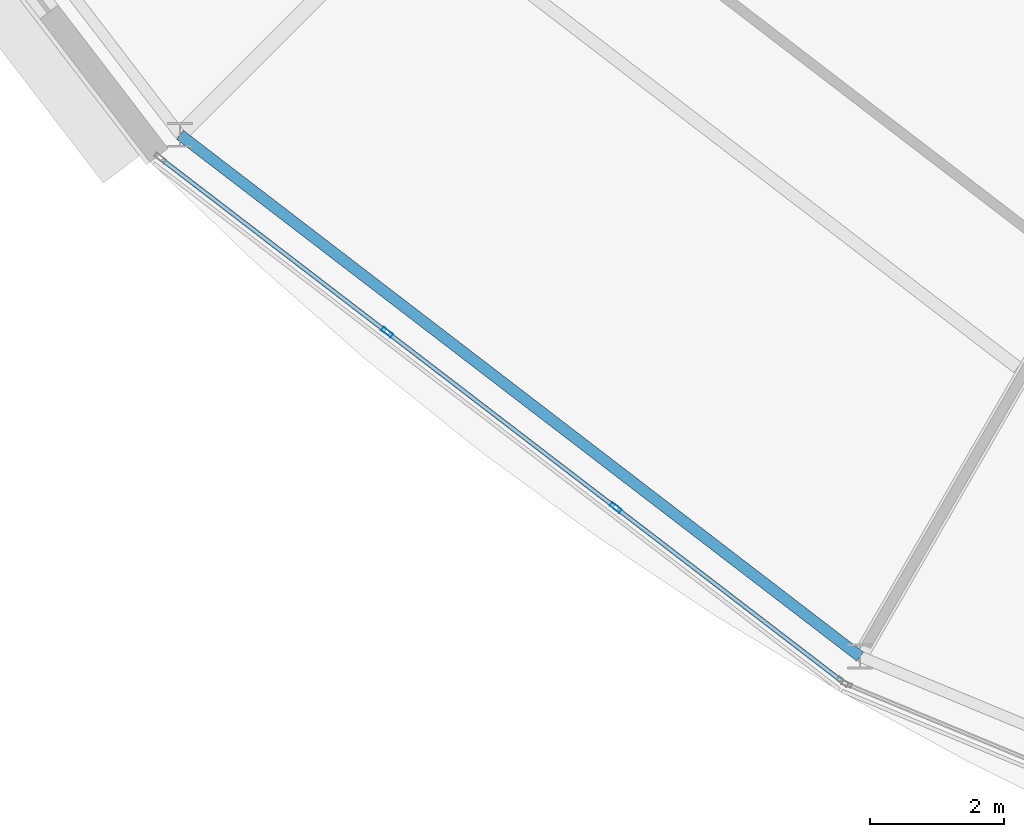
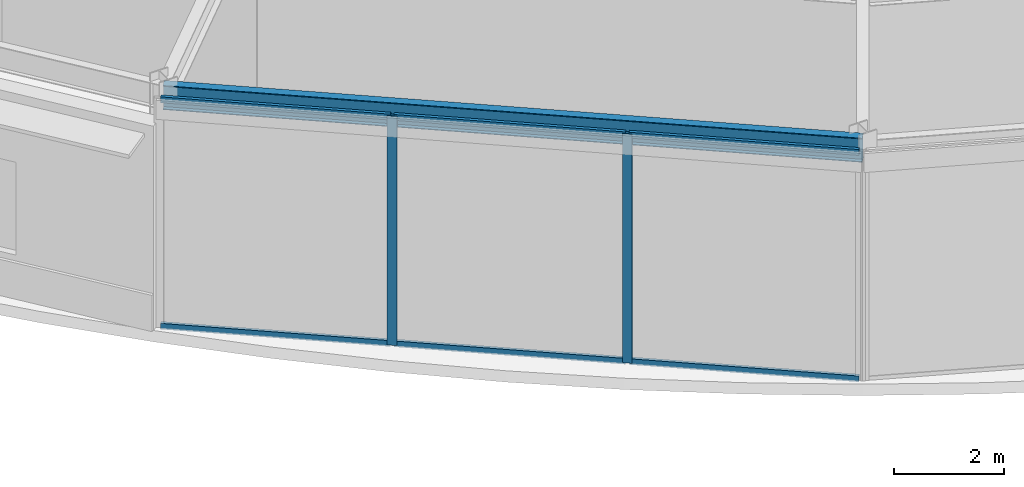
# One storey, part 28 of 168: 8 members, 1 beam, 1 element without a shape of its own.
"""IFC4 building model written with IfcOpenShell, lengths in metres."""

from ifc_helpers import new_model, si_unit, direction, frame, origin, origin_2d, place, context, subcontext, project, spatial, hollow_rectangle, i_section, extrude, material, material_profile, profile_set, type_object, element, aggregate, save


model = new_model("IFC4")

# Units and contexts
model_context = context("Model", 3, precision=1e-05, world=origin(), true_north=direction((0.0, 1.0)))
body_context = subcontext(model_context, "Body", "Model", "MODEL_VIEW")
ifc_project = project(units=[si_unit("LENGTHUNIT", "METRE"), si_unit("AREAUNIT", "SQUARE_METRE"), si_unit("VOLUMEUNIT", "CUBIC_METRE"), si_unit("PLANEANGLEUNIT", "RADIAN"), si_unit("MASSUNIT", "GRAM", prefix="KILO")], contexts=[model_context])

# Site, building, storey
site_placement = place(None, origin())
site = spatial("IfcSite", under=ifc_project, at=site_placement, CompositionType="ELEMENT")
building_placement = place(site_placement, origin())
building = spatial("IfcBuilding", under=site, at=building_placement, Name="Almandine Court Research Institute", CompositionType="ELEMENT")
storey_placement = place(building_placement, origin())
storey = spatial("IfcBuildingStorey", under=building, at=storey_placement, Name="L00", CompositionType="ELEMENT", Elevation=0.0)

# Beam
ifc_material_1 = material(Name="Steel ASTM A992 Grade 50", Category="steel")
ifc_material_profile_1 = material_profile(ifc_material_1, i_section(OverallWidth=0.166015625, OverallDepth=0.534912109375, WebThickness=0.010009765625, FlangeThickness=0.01708984375, at=origin_2d()), Name="W530x85")
ifc_profile_set_1 = profile_set([ifc_material_profile_1], Name="Steel ASTM A992 Grade 50")
beam_type = type_object("IfcBeamType", Name="Beam-G-05-E", PredefinedType="SPANDREL", material=ifc_profile_set_1)
beam_placement = place(storey_placement, frame((52.422119140625, 21.422119140625, 4.802978515625), z_axis=(0.793360662587, -0.608751886289, 0.0), x_axis=(0.608751886289, 0.793360662587, 0.0)))
element("IfcBeam", 1, at=beam_placement, inside=storey, type_object=beam_type, Name="L00 Drum OUT Ring Beam 15", PredefinedType="SPANDREL", context=body_context, shape_type="SweptSolid", body=[
    extrude(i_section(OverallWidth=0.166015625, OverallDepth=0.534912109375, WebThickness=0.010009765625, FlangeThickness=0.01708984375, at=origin_2d()), origin(), (0.0, 0.0, 1.0), 12.765869140625),
])

# Curtain wall, members
ifc_material_2 = material(Name="Unitised Curtain Wall Framing and Solar Glazing", Category="glass")
curtain_wall_type = type_object("IfcCurtainWallType", Name="CW-CWJ-17", PredefinedType="USERDEFINED", material=ifc_material_2)
curtain_wall_placement = place(storey_placement, origin())
curtain_wall = element("IfcCurtainWall", 2, at=curtain_wall_placement, inside=storey, type_object=curtain_wall_type, Name="L00 Stacked-Ring Drum Outer Solar Jali Screen 15", ObjectType="SOLAR JALI SCREEN", PredefinedType="USERDEFINED")
ifc_material_3 = material(Name="Anodised Aluminium AW-6063-T6", Category="aluminium")
ifc_material_profile_2 = material_profile(ifc_material_3, hollow_rectangle(XDim=0.06494140625, YDim=0.179931640625, WallThickness=0.00390625, at=origin_2d()), Name="ALU RHS 65x180x4")
ifc_profile_set_2 = profile_set([ifc_material_profile_2], Name="Anodised Aluminium AW-6063-T6")
member_type_1 = type_object("IfcMemberType", Name="CWMul-65x180", PredefinedType="MULLION", material=ifc_profile_set_2)
member_1_placement = place(storey_placement, frame((58.911376953125, 15.867919921875, 0.0), z_axis=(0.0, 0.0, 1.0), x_axis=(-0.608723313303, -0.793382586046, 0.0)))
member_1 = element("IfcMember", 3, at=member_1_placement, type_object=member_type_1, Name="CWJ-17 mullion 2", PredefinedType="MULLION", context=body_context, shape_type="SweptSolid", body=[
    extrude(hollow_rectangle(XDim=0.06494140625, YDim=0.179931640625, WallThickness=0.00390625, at=origin_2d()), origin(), (0.0, 0.0, 1.0), 5.070068359375),
])
member_2_placement = place(storey_placement, frame((55.505615234375, 18.48095703125, 0.0), z_axis=(0.0, 0.0, 1.0), x_axis=(-0.608723313303, -0.793382586046, 0.0)))
member_2 = element("IfcMember", 4, at=member_2_placement, type_object=member_type_1, Name="CWJ-17 mullion 3", PredefinedType="MULLION", context=body_context, shape_type="SweptSolid", body=[
    extrude(hollow_rectangle(XDim=0.06494140625, YDim=0.179931640625, WallThickness=0.00390625, at=origin_2d()), origin(), (0.0, 0.0, 1.0), 5.070068359375),
])
ifc_material_profile_3 = material_profile(ifc_material_3, hollow_rectangle(XDim=0.06494140625, YDim=0.1298828125, WallThickness=0.00390625, at=origin_2d()), Name="ALU RHS 65x130x4")
ifc_profile_set_3 = profile_set([ifc_material_profile_3], Name="Anodised Aluminium AW-6063-T6")
member_type_2 = type_object("IfcMemberType", Name="CWTrn-65x130", PredefinedType="NOTDEFINED", material=ifc_profile_set_3)
member_3_placement = place(storey_placement, frame((62.265380859375, 13.294677734375, 0.032470703125), z_axis=(-0.793408675449, 0.608689308041, 0.0), x_axis=(-0.608689308041, -0.793408675449, 0.0)))
member_3 = element("IfcMember", 5, at=member_3_placement, type_object=member_type_2, Name="CWJ-17 transom 1.1", ObjectType="TRANSOM", PredefinedType="USERDEFINED", context=body_context, shape_type="SweptSolid", body=[
    extrude(hollow_rectangle(XDim=0.06494140625, YDim=0.1298828125, WallThickness=0.00390625, at=origin_2d()), origin(), (0.0, 0.0, 1.0), 4.195068359375),
])
member_4_placement = place(storey_placement, frame((62.265380859375, 13.294677734375, 5.03759765625), z_axis=(-0.793408675449, 0.608689308041, 0.0), x_axis=(-0.608689308041, -0.793408675449, 0.0)))
member_4 = element("IfcMember", 6, at=member_4_placement, type_object=member_type_2, Name="CWJ-17 transom 1.2", ObjectType="TRANSOM", PredefinedType="USERDEFINED", context=body_context, shape_type="SweptSolid", body=[
    extrude(hollow_rectangle(XDim=0.06494140625, YDim=0.1298828125, WallThickness=0.00390625, at=origin_2d()), origin(), (0.0, 0.0, 1.0), 4.195068359375),
])
member_5_placement = place(storey_placement, frame((58.885498046875, 15.8876953125, 0.032470703125), z_axis=(-0.793368349931, 0.608741867566, 0.0), x_axis=(-0.608741867566, -0.793368349931, 0.0)))
member_5 = element("IfcMember", 7, at=member_5_placement, type_object=member_type_2, Name="CWJ-17 transom 2.1", ObjectType="TRANSOM", PredefinedType="USERDEFINED", context=body_context, shape_type="SweptSolid", body=[
    extrude(hollow_rectangle(XDim=0.06494140625, YDim=0.1298828125, WallThickness=0.00390625, at=origin_2d()), origin(), (0.0, 0.0, 1.0), 4.2275390625),
])
member_6_placement = place(storey_placement, frame((58.885498046875, 15.8876953125, 5.03759765625), z_axis=(-0.793368349931, 0.608741867566, 0.0), x_axis=(-0.608741867566, -0.793368349931, 0.0)))
member_6 = element("IfcMember", 8, at=member_6_placement, type_object=member_type_2, Name="CWJ-17 transom 2.2", ObjectType="TRANSOM", PredefinedType="USERDEFINED", context=body_context, shape_type="SweptSolid", body=[
    extrude(hollow_rectangle(XDim=0.06494140625, YDim=0.1298828125, WallThickness=0.00390625, at=origin_2d()), origin(), (0.0, 0.0, 1.0), 4.2275390625),
])
member_7_placement = place(storey_placement, frame((55.47998046875, 18.500732421875, 0.032470703125), z_axis=(-0.793380569658, 0.608725941364, 0.0), x_axis=(-0.608725941364, -0.793380569658, 0.0)))
member_7 = element("IfcMember", 9, at=member_7_placement, type_object=member_type_2, Name="CWJ-17 transom 3.1", ObjectType="TRANSOM", PredefinedType="USERDEFINED", context=body_context, shape_type="SweptSolid", body=[
    extrude(hollow_rectangle(XDim=0.06494140625, YDim=0.1298828125, WallThickness=0.00390625, at=origin_2d()), origin(), (0.0, 0.0, 1.0), 4.195068359375),
])
member_8_placement = place(storey_placement, frame((55.47998046875, 18.500732421875, 5.03759765625), z_axis=(-0.793380569658, 0.608725941364, 0.0), x_axis=(-0.608725941364, -0.793380569658, 0.0)))
member_8 = element("IfcMember", 10, at=member_8_placement, type_object=member_type_2, Name="CWJ-17 transom 3.2", ObjectType="TRANSOM", PredefinedType="USERDEFINED", context=body_context, shape_type="SweptSolid", body=[
    extrude(hollow_rectangle(XDim=0.06494140625, YDim=0.1298828125, WallThickness=0.00390625, at=origin_2d()), origin(), (0.0, 0.0, 1.0), 4.195068359375),
])
aggregate(curtain_wall, [member_1, member_2, member_3, member_4, member_5, member_6, member_7, member_8])

save(model, "model.ifc")
